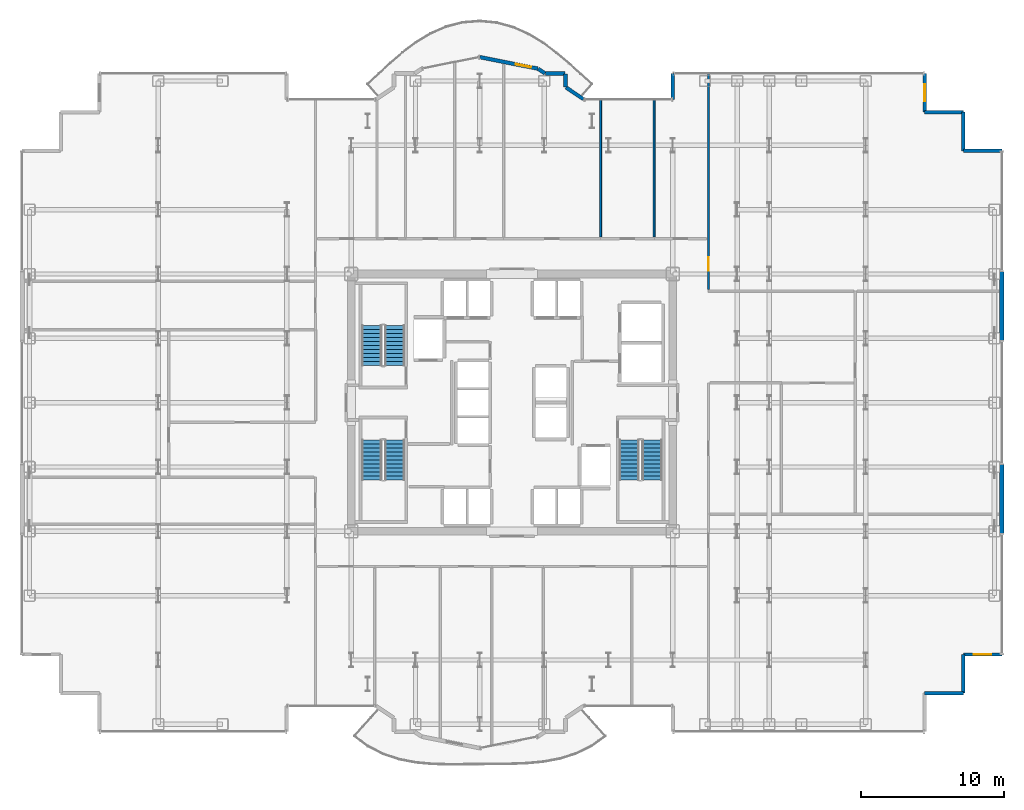
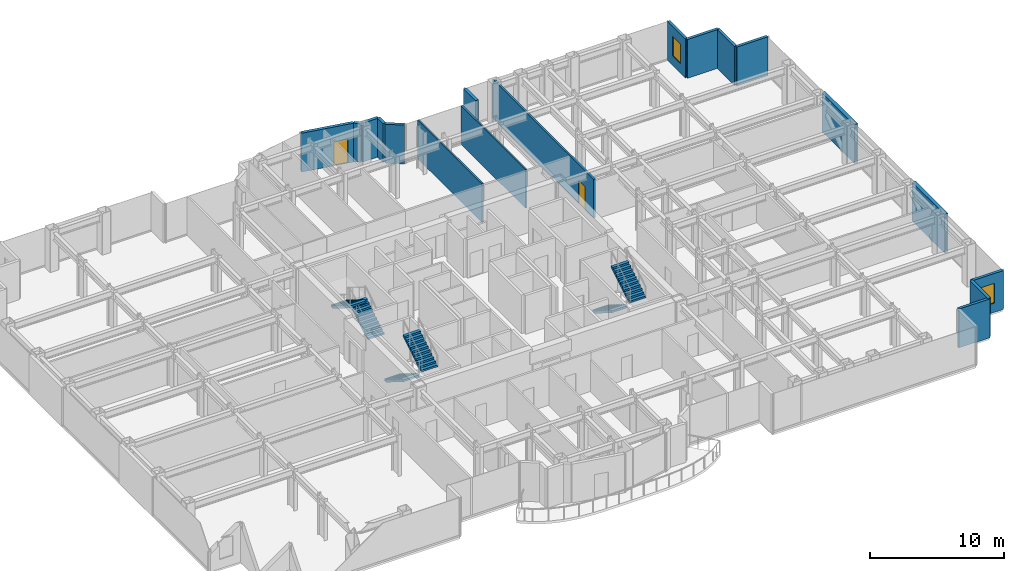
# One storey, part 27 of 29: 18 walls, 6 stair flights, 2 doors, 2 windows, 4 openings, 3 elements without a shape of their own.
"""IFC4 building model written with IfcOpenShell, lengths in metres."""

import ifcopenshell
import ifcopenshell.guid

model = None  # the IFC model being written
_history = None  # IfcOwnerHistory: only IFC2X3 demands one
_inside = {}  # id of a spatial element -> (the spatial element, [elements in it])
_under = {}  # id of a project, library or spatial element -> (it, [spatial elements below it])
_declared = {}  # id of a project -> (the project, [libraries it declares])
_typed = {}  # id of a type object -> (the type object, [elements of that type])
_made_of = {}  # id of a material, layer set ... -> (it, [elements and type objects made of it])


def new_model(schema):
    """Start an empty IFC model of exactly this schema.

    Asked for "IFC4X3", IfcOpenShell would pick the latest addendum, in which some entities
    have other attributes; the version numbers below select the first issue.
    IFC2X3 requires an IfcOwnerHistory on every rooted entity: one is made here for all.
    """
    global model, _history
    if schema == "IFC4X3":
        model = ifcopenshell.file(schema_version=(4, 3, 0, 0))
    else:
        model = ifcopenshell.file(schema=schema)
    _inside.clear()
    _under.clear()
    _declared.clear()
    _typed.clear()
    _made_of.clear()
    _history = None
    if model.schema == "IFC2X3":
        org = make("IfcOrganization", Name="unknown")
        user = make(
            "IfcPersonAndOrganization",
            ThePerson=make("IfcPerson", FamilyName="unknown"),
            TheOrganization=org,
        )
        app = make(
            "IfcApplication",
            ApplicationDeveloper=org,
            Version="unknown",
            ApplicationFullName="unknown",
            ApplicationIdentifier="unknown",
        )
        _history = make(
            "IfcOwnerHistory",
            OwningUser=user,
            OwningApplication=app,
            ChangeAction="ADDED",
            CreationDate=0,
        )
    return model


def make(cls, **values):
    """One entity of the class cls with the attributes given. An attribute that is None is left unset."""
    return model.create_entity(
        cls, **{name: value for name, value in values.items() if value is not None}
    )


def rooted(cls, **values):
    """An entity with a GlobalId (a new one), such as an element, a storey or a relation."""
    return make(cls, GlobalId=ifcopenshell.guid.new(), OwnerHistory=_history, **values)


def si_unit(unit_type, name, prefix=None):
    """IfcSIUnit, for example si_unit("LENGTHUNIT", "METRE", prefix="MILLI")."""
    return make("IfcSIUnit", UnitType=unit_type, Prefix=prefix, Name=name)


def assignment(units):
    """IfcUnitAssignment: the units of a project."""
    return None if units is None else make("IfcUnitAssignment", Units=units)


def point(xyz):
    """IfcCartesianPoint."""
    return None if xyz is None else make("IfcCartesianPoint", Coordinates=xyz)


def direction(xyz):
    """IfcDirection."""
    return None if xyz is None else make("IfcDirection", DirectionRatios=xyz)


def frame(location, z_axis=None, x_axis=None):
    """IfcAxis2Placement3D, a coordinate frame: its origin and axes. An axis left out is left unset."""
    return make(
        "IfcAxis2Placement3D",
        Location=point(location),
        Axis=direction(z_axis),
        RefDirection=direction(x_axis),
    )


def frame_2d(location, x_axis=None):
    """IfcAxis2Placement2D, a coordinate frame in the plane: its origin and x axis."""
    return make(
        "IfcAxis2Placement2D", Location=point(location), RefDirection=direction(x_axis)
    )


def origin():
    """The frame at (0, 0, 0) with its axes left unset."""
    return frame((0.0, 0.0, 0.0))


def place(relative_to, where):
    """IfcLocalPlacement: puts the frame where relative to a parent placement (None: the world)."""
    return make(
        "IfcLocalPlacement", PlacementRelTo=relative_to, RelativePlacement=where
    )


def context(
    kind, dimensions, precision=None, world=None, true_north=None, identifier=None
):
    """IfcGeometricRepresentationContext, for example the 3D "Model" context."""
    return make(
        "IfcGeometricRepresentationContext",
        ContextIdentifier=identifier,
        ContextType=kind,
        CoordinateSpaceDimension=dimensions,
        Precision=precision,
        WorldCoordinateSystem=world,
        TrueNorth=true_north,
    )


def subcontext(parent, identifier, kind, view, scale=None):
    """IfcGeometricRepresentationSubContext, for example "Body" below "Model"."""
    return make(
        "IfcGeometricRepresentationSubContext",
        ContextIdentifier=identifier,
        ContextType=kind,
        ParentContext=parent,
        TargetScale=scale,
        TargetView=view,
    )


def project(units=None, contexts=None):
    """IfcProject with its units and contexts."""
    return rooted(
        "IfcProject",
        Name="project",
        RepresentationContexts=contexts,
        UnitsInContext=assignment(units),
    )


def spatial(cls, under=None, at=None, **own):
    """A site, building, storey or space (cls), placed at a placement, below another one or the project."""
    s = rooted(cls, ObjectPlacement=at, **own)
    if under is not None:
        _under.setdefault(under.id(), (under, []))[1].append(s)
    return s


def polyline(points):
    """IfcPolyline through the points."""
    return make("IfcPolyline", Points=[point(p) for p in points])


def profile(cls, at=None, kind="AREA", **sizes):
    """A parametric profile (cls). Its sizes go by their IFC names, for example OverallWidth=200.0."""
    return make(cls, ProfileType=kind, Position=at, **sizes)


def rectangle(**sizes):
    """IfcRectangleProfileDef."""
    return profile("IfcRectangleProfileDef", **sizes)


def outline(outer, holes=None, kind="AREA"):
    """IfcArbitraryClosedProfileDef: a profile drawn as a closed curve; with holes, ...WithVoids."""
    if holes is None:
        return make("IfcArbitraryClosedProfileDef", ProfileType=kind, OuterCurve=outer)
    return make(
        "IfcArbitraryProfileDefWithVoids",
        ProfileType=kind,
        OuterCurve=outer,
        InnerCurves=holes,
    )


def extrude(swept, where, along, depth):
    """IfcExtrudedAreaSolid: the profile swept, set in the frame where, extruded along a direction by depth."""
    return make(
        "IfcExtrudedAreaSolid",
        SweptArea=swept,
        Position=where,
        ExtrudedDirection=direction(along),
        Depth=depth,
    )


def shape(context_of_items, identifier, shape_type, items):
    """IfcShapeRepresentation: the items that make up one representation, for example the "Body"."""
    return make(
        "IfcShapeRepresentation",
        ContextOfItems=context_of_items,
        RepresentationIdentifier=identifier,
        RepresentationType=shape_type,
        Items=items,
    )


def source(mapping_origin, context_of_items, identifier, shape_type, items):
    """IfcRepresentationMap: a shape defined once, which mapped items show again and again."""
    return make(
        "IfcRepresentationMap",
        MappingOrigin=mapping_origin,
        MappedRepresentation=shape(context_of_items, identifier, shape_type, items),
    )


def transform(
    local_origin,
    x_axis=None,
    y_axis=None,
    z_axis=None,
    scale=None,
    scale2=None,
    scale3=None,
    uniform=True,
):
    """IfcCartesianTransformationOperator3D, or its non-uniform kind. x_axis, y_axis, z_axis: its Axis1, 2, 3."""
    if uniform:
        return make(
            "IfcCartesianTransformationOperator3D",
            Axis1=direction(x_axis),
            Axis2=direction(y_axis),
            LocalOrigin=point(local_origin),
            Scale=scale,
            Axis3=direction(z_axis),
        )
    return make(
        "IfcCartesianTransformationOperator3DnonUniform",
        Axis1=direction(x_axis),
        Axis2=direction(y_axis),
        LocalOrigin=point(local_origin),
        Scale=scale,
        Axis3=direction(z_axis),
        Scale2=scale2,
        Scale3=scale3,
    )


def mapped(mapping_source, mapping_target):
    """IfcMappedItem: shows the shape of a source again, moved by a transform."""
    return make(
        "IfcMappedItem", MappingSource=mapping_source, MappingTarget=mapping_target
    )


def material(Name=None, Category=None):
    """IfcMaterial."""
    return make("IfcMaterial", Name=Name, Category=Category)


def layer(
    of_material, thickness, ventilated=None, Name=None, Category=None, Priority=None
):
    """IfcMaterialLayer: one layer of a wall or slab, of a material (None: an air gap)."""
    return make(
        "IfcMaterialLayer",
        Material=of_material,
        LayerThickness=thickness,
        IsVentilated=ventilated,
        Name=Name,
        Category=Category,
        Priority=Priority,
    )


def layer_set(layers, Name=None):
    """IfcMaterialLayerSet."""
    return make("IfcMaterialLayerSet", MaterialLayers=layers, LayerSetName=Name)


def made_of(thing, what):
    """Note that an element or type object is made of a material, layer set ...; save() writes the relation."""
    if what is not None:
        _made_of.setdefault(what.id(), (what, []))[1].append(thing)
    return thing


def type_object(cls, material=None, **own):
    """A type object (cls), such as IfcWallType, which elements share."""
    return made_of(rooted(cls, **own), material)


def element(
    cls,
    number,
    at=None,
    inside=None,
    cuts=None,
    type_object=None,
    material=None,
    context=None,
    identifier="Body",
    shape_type=None,
    held_by="IfcProductDefinitionShape",
    body=None,
    shapes=None,
    **own,
):
    """One element of the class cls, such as IfcWall. Its Tag is "e" and its number.

    at: its placement. inside: the storey or other place that contains it. cuts: it is an
    opening in that element (IfcRelVoidsElement). A single representation is given by context,
    identifier, shape_type and body (its items); several are given by shapes. held_by: the class
    of the entity that holds the representations. save() writes the other relations.
    """
    e = rooted(cls, Tag="e%d" % number, ObjectPlacement=at, **own)
    if body is not None:
        shapes = [shape(context, identifier, shape_type, body)]
    if shapes is not None:
        e.Representation = make(held_by, Representations=shapes)
    if inside is not None:
        _inside.setdefault(inside.id(), (inside, []))[1].append(e)
    if cuts is not None:
        rooted(
            "IfcRelVoidsElement", RelatingBuildingElement=cuts, RelatedOpeningElement=e
        )
    if type_object is not None:
        _typed.setdefault(type_object.id(), (type_object, []))[1].append(e)
    return made_of(e, material)


def fill(opening, filler):
    """IfcRelFillsElement: the door or window that sits in an opening."""
    return rooted(
        "IfcRelFillsElement",
        RelatingOpeningElement=opening,
        RelatedBuildingElement=filler,
    )


def aggregate(whole, parts):
    """IfcRelAggregates: a whole, such as a stair, and the parts it consists of."""
    return rooted("IfcRelAggregates", RelatingObject=whole, RelatedObjects=parts)


def save(model, path):
    """Write the relations noted so far, then the file.

    IfcRelAggregates (storeys below a building ...), IfcRelContainedInSpatialStructure (elements
    in a storey), IfcRelDefinesByType, IfcRelAssociatesMaterial and IfcRelDeclares: one each for
    every whole, place, type object, material and project.
    """
    for whole, parts in _under.values():
        aggregate(whole, parts)
    for where, things in _inside.values():
        rooted(
            "IfcRelContainedInSpatialStructure",
            RelatedElements=things,
            RelatingStructure=where,
        )
    for kind, things in _typed.values():
        rooted("IfcRelDefinesByType", RelatedObjects=things, RelatingType=kind)
    for what, things in _made_of.values():
        rooted("IfcRelAssociatesMaterial", RelatedObjects=things, RelatingMaterial=what)
    for by, libraries in _declared.values():
        rooted("IfcRelDeclares", RelatingContext=by, RelatedDefinitions=libraries)
    model.write(path)


model = new_model("IFC4")

# Units and contexts
model_context = context("Model", 3, precision=1e-05, world=origin(), true_north=direction((0.0, 1.0)))
body_context = subcontext(model_context, "Body", "Model", "MODEL_VIEW")
ifc_project = project(units=[si_unit("LENGTHUNIT", "METRE"), si_unit("AREAUNIT", "SQUARE_METRE"), si_unit("VOLUMEUNIT", "CUBIC_METRE"), si_unit("PLANEANGLEUNIT", "RADIAN"), si_unit("MASSUNIT", "GRAM", prefix="KILO")], contexts=[model_context])

# Site, building, storey
site_placement = place(None, origin())
site = spatial("IfcSite", under=ifc_project, at=site_placement, CompositionType="ELEMENT")
building_placement = place(site_placement, origin())
building = spatial("IfcBuilding", under=site, at=building_placement, Name="Nefas-Gora Pilgrimage Tower", CompositionType="ELEMENT")
storey_placement = place(building_placement, frame((0.0, 0.0, 113.60009765625)))
storey = spatial("IfcBuildingStorey", under=building, at=storey_placement, Name="L27", CompositionType="ELEMENT", Elevation=113.60009765625)

# Walls
ifc_material_1 = material(Name="Precast concrete C40/50", Category="concrete")
ifc_layer_1 = layer(ifc_material_1, 0.260009765625)
ifc_layer_set_1 = layer_set([ifc_layer_1], Name="Precast concrete C40/50")
wall_type_1 = type_object("IfcWallType", Name="EW-PORTAL-260", PredefinedType="SOLIDWALL", material=ifc_layer_set_1)
shared_shape_1 = source(origin(), body_context, "Body", "SweptSolid", [
    extrude(rectangle(XDim=1.800048828125, YDim=0.260009765625, at=frame_2d((0.89990234375, 0.0))), origin(), (0.0, 0.0, 1.0), 3.5498046875),
])
wall_1_placement = place(storey_placement, frame((11.25, 23.02001953125, 0.0), z_axis=(0.0, 0.0, 1.0), x_axis=(0.0, -1.0, 0.0)))
element("IfcWall", 1, at=wall_1_placement, inside=storey, type_object=wall_type_1, Name="L27 Lobe Shoulder Precast Spandrel Pier 14", PredefinedType="SOLIDWALL", context=body_context, shape_type="MappedRepresentation", body=[
    mapped(shared_shape_1, transform((0.0, 0.0, 0.0), x_axis=(1.0, 0.0, 0.0), y_axis=(0.0, 1.0, 0.0), z_axis=(0.0, 0.0, 1.0), scale=1.0)),
])
ifc_material_2 = material(Name="Precast concrete C45/55", Category="concrete")
ifc_layer_2 = layer(ifc_material_2, 0.239990234375)
ifc_layer_set_2 = layer_set([ifc_layer_2], Name="Precast concrete C45/55")
wall_type_2 = type_object("IfcWallType", Name="EW-SERR-240", PredefinedType="SHEAR", material=ifc_layer_set_2)
shared_shape_2 = source(origin(), body_context, "Body", "SweptSolid", [
    extrude(rectangle(XDim=2.699951171875, YDim=0.239990234375, at=frame_2d((1.35009765625, 0.0))), origin(), (0.0, 0.0, 1.0), 3.5498046875),
])
for number, where, z_axis, x_axis, name in (
    (2, (28.8701171875, -20.320068359375, 0.0), (0.0, 0.0, 1.0), (1.0, 0.0, 0.0), "L27 Serrated Corner Shear Pier Wall 7"),
    (3, (31.570068359375, -20.320068359375, 0.0), (0.0, 0.0, 1.0), (0.0, 1.0, 0.0), "L27 Serrated Corner Shear Pier Wall 8"),
):
    element("IfcWall", number, at=place(storey_placement, frame(where, z_axis=z_axis, x_axis=x_axis)), inside=storey, type_object=wall_type_2, Name=name, PredefinedType="SHEAR", context=body_context, shape_type="MappedRepresentation", body=[
        mapped(shared_shape_2, transform((0.0, 0.0, 0.0), x_axis=(1.0, 0.0, 0.0), y_axis=(0.0, 1.0, 0.0), z_axis=(0.0, 0.0, 1.0), scale=1.0)),
    ])

# Wall, opening, window
wall_2_placement = place(storey_placement, frame((31.570068359375, -17.6201171875, 0.0), z_axis=(0.0, 0.0, 1.0), x_axis=(1.0, 0.0, 0.0)))
wall_2 = element("IfcWall", 4, at=wall_2_placement, inside=storey, type_object=wall_type_2, Name="L27 Serrated Corner Shear Pier Wall 9", PredefinedType="SHEAR", context=body_context, shape_type="MappedRepresentation", body=[
    mapped(shared_shape_2, transform((0.0, 0.0, 0.0), x_axis=(1.0, 0.0, 0.0), y_axis=(0.0, 1.0, 0.0), z_axis=(0.0, 0.0, 1.0), scale=1.0)),
])
opening_1_placement = place(wall_2_placement, frame((0.75, 0.0, 0.85009765625)))
opening_1 = element("IfcOpeningElement", 5, at=opening_1_placement, cuts=wall_2, Name="Opening W-V1", PredefinedType="OPENING", context=body_context, shape_type="SweptSolid", body=[
    extrude(rectangle(XDim=1.199951171875, YDim=1.800048828125, at=frame_2d((0.60009765625, 0.89990234375))), frame((0.0, 0.1298828125, 0.0), z_axis=(0.0, -1.0, 0.0), x_axis=(1.0, 0.0, 0.0)), (0.0, 0.0, 1.0), 0.260009765625),
])
ifc_material_3 = material(Name="Dark ceramic-fritted operable aluminium-glass window", Category="aluminium")
window_type = type_object("IfcWindowType", Name="WIN-VENT-1200x1800", PartitioningType="SINGLE_PANEL", PredefinedType="WINDOW", material=ifc_material_3)
shared_shape_3 = source(origin(), body_context, "Body", "SweptSolid", [
    extrude(rectangle(XDim=1.199951171875, YDim=1.800048828125, at=frame_2d((0.60009765625, 0.89990234375))), frame((0.0, 0.030029296875, 0.0), z_axis=(0.0, -1.0, 0.0), x_axis=(1.0, 0.0, 0.0)), (0.0, 0.0, 1.0), 0.06005859375),
])
window_1_placement = place(opening_1_placement, origin())
window_1 = element("IfcWindow", 6, at=window_1_placement, inside=storey, type_object=window_type, Name="L27 Operable Parallel-Outswing Window 9", OverallHeight=1.800048828125, OverallWidth=1.199951171875, PartitioningType="SINGLE_PANEL", PredefinedType="WINDOW", context=body_context, shape_type="MappedRepresentation", body=[
    mapped(shared_shape_3, transform((0.0, 0.0, 0.0), x_axis=(1.0, 0.0, 0.0), y_axis=(0.0, 1.0, 0.0), z_axis=(0.0, 0.0, 1.0), scale=1.0)),
])
fill(opening_1, window_1)

# Walls
for number, where, z_axis, x_axis, name in (
    (7, (34.27001953125, 17.6201171875, 0.0), (0.0, 0.0, 1.0), (-1.0, 0.0, 0.0), "L27 Serrated Corner Shear Pier Wall 10"),
    (8, (31.570068359375, 17.6201171875, 0.0), (0.0, 0.0, 1.0), (0.0, 1.0, 0.0), "L27 Serrated Corner Shear Pier Wall 11"),
    (9, (31.570068359375, 20.320068359375, 0.0), (0.0, 0.0, 1.0), (-1.0, 0.0, 0.0), "L27 Serrated Corner Shear Pier Wall 12"),
):
    element("IfcWall", number, at=place(storey_placement, frame(where, z_axis=z_axis, x_axis=x_axis)), inside=storey, type_object=wall_type_2, Name=name, PredefinedType="SHEAR", context=body_context, shape_type="MappedRepresentation", body=[
        mapped(shared_shape_2, transform((0.0, 0.0, 0.0), x_axis=(1.0, 0.0, 0.0), y_axis=(0.0, 1.0, 0.0), z_axis=(0.0, 0.0, 1.0), scale=1.0)),
    ])

# Wall, opening, window
wall_3_placement = place(storey_placement, frame((28.8701171875, 20.320068359375, 0.0), z_axis=(0.0, 0.0, 1.0), x_axis=(0.0, 1.0, 0.0)))
wall_3 = element("IfcWall", 10, at=wall_3_placement, inside=storey, type_object=wall_type_2, Name="L27 Serrated Corner Shear Pier Wall 13", PredefinedType="SHEAR", context=body_context, shape_type="MappedRepresentation", body=[
    mapped(shared_shape_2, transform((0.0, 0.0, 0.0), x_axis=(1.0, 0.0, 0.0), y_axis=(0.0, 1.0, 0.0), z_axis=(0.0, 0.0, 1.0), scale=1.0)),
])
opening_2_placement = place(wall_3_placement, frame((0.75, 0.0, 0.85009765625)))
opening_2 = element("IfcOpeningElement", 11, at=opening_2_placement, cuts=wall_3, Name="Opening W-V1", PredefinedType="OPENING", context=body_context, shape_type="SweptSolid", body=[
    extrude(rectangle(XDim=1.199951171875, YDim=1.800048828125, at=frame_2d((0.60009765625, 0.89990234375))), frame((0.0, 0.1298828125, 0.0), z_axis=(0.0, -1.0, 0.0), x_axis=(1.0, 0.0, 0.0)), (0.0, 0.0, 1.0), 0.260009765625),
])
window_2_placement = place(opening_2_placement, origin())
window_2 = element("IfcWindow", 12, at=window_2_placement, inside=storey, type_object=window_type, Name="L27 Operable Parallel-Outswing Window 13", OverallHeight=1.800048828125, OverallWidth=1.199951171875, PartitioningType="SINGLE_PANEL", PredefinedType="WINDOW", context=body_context, shape_type="MappedRepresentation", body=[
    mapped(shared_shape_3, transform((0.0, 0.0, 0.0), x_axis=(1.0, 0.0, 0.0), y_axis=(0.0, 1.0, 0.0), z_axis=(0.0, 0.0, 1.0), scale=1.0)),
])
fill(opening_2, window_2)

# Walls
shared_shape_4 = source(origin(), body_context, "Body", "SweptSolid", [
    extrude(rectangle(XDim=1.468994140625, YDim=0.260009765625, at=frame_2d((0.734375, 0.0))), origin(), (0.0, 0.0, 1.0), 3.5498046875),
])
wall_4_placement = place(storey_placement, frame((4.99462890625, 21.235595703125, 0.0), z_axis=(0.0, 0.0, 1.0), x_axis=(-0.831461760506, 0.555581983884, 0.0)))
element("IfcWall", 13, at=wall_4_placement, inside=storey, type_object=wall_type_1, Name="L27 Lobe Shoulder Precast Spandrel Pier 15", PredefinedType="SOLIDWALL", context=body_context, shape_type="MappedRepresentation", body=[
    mapped(shared_shape_4, transform((0.0, 0.0, 0.0), x_axis=(1.0, 0.0, 0.0), y_axis=(0.0, 1.0, 0.0), z_axis=(0.0, 0.0, 1.0), scale=1.0)),
])
shared_shape_5 = source(origin(), body_context, "Body", "SweptSolid", [
    extrude(rectangle(XDim=0.896728515625, YDim=0.260009765625, at=frame_2d((0.4482421875, 0.0))), origin(), (0.0, 0.0, 1.0), 3.5498046875),
])
wall_5_placement = place(storey_placement, frame((3.75, 22.09521484375, 0.0), z_axis=(0.0, 0.0, 1.0), x_axis=(0.0, 1.0, 0.0)))
element("IfcWall", 14, at=wall_5_placement, inside=storey, type_object=wall_type_1, Name="L27 Lobe Shoulder Precast Spandrel Pier 16", PredefinedType="SOLIDWALL", context=body_context, shape_type="MappedRepresentation", body=[
    mapped(shared_shape_5, transform((0.0, 0.0, 0.0), x_axis=(1.0, 0.0, 0.0), y_axis=(0.0, 1.0, 0.0), z_axis=(0.0, 0.0, 1.0), scale=1.0)),
])
shared_shape_6 = source(origin(), body_context, "Body", "SweptSolid", [
    extrude(rectangle(XDim=1.369873046875, YDim=0.260009765625, at=frame_2d((0.68505859375, 0.0))), origin(), (0.0, 0.0, 1.0), 3.5498046875),
])
wall_6_placement = place(storey_placement, frame((3.721923828125, 23.02001953125, 0.0), z_axis=(0.0, 0.0, 1.0), x_axis=(-1.0, 0.0, 0.0)))
element("IfcWall", 15, at=wall_6_placement, inside=storey, type_object=wall_type_1, Name="L27 Lobe Shoulder Precast Spandrel Pier 17", PredefinedType="SOLIDWALL", context=body_context, shape_type="MappedRepresentation", body=[
    mapped(shared_shape_6, transform((0.0, 0.0, 0.0), x_axis=(1.0, 0.0, 0.0), y_axis=(0.0, 1.0, 0.0), z_axis=(0.0, 0.0, 1.0), scale=1.0)),
])
shared_shape_7 = source(origin(), body_context, "Body", "SweptSolid", [
    extrude(rectangle(XDim=0.5654296875, YDim=0.260009765625, at=frame_2d((0.28271484375, 0.0))), origin(), (0.0, 0.0, 1.0), 3.5498046875),
])
wall_7_placement = place(storey_placement, frame((2.30078125, 23.03564453125, 0.0), z_axis=(0.0, 0.0, 1.0), x_axis=(-0.831651492666, 0.555297933317, 0.0)))
element("IfcWall", 16, at=wall_7_placement, inside=storey, type_object=wall_type_1, Name="L27 Lobe Shoulder Precast Spandrel Pier 18", PredefinedType="SOLIDWALL", context=body_context, shape_type="MappedRepresentation", body=[
    mapped(shared_shape_7, transform((0.0, 0.0, 0.0), x_axis=(1.0, 0.0, 0.0), y_axis=(0.0, 1.0, 0.0), z_axis=(0.0, 0.0, 1.0), scale=1.0)),
])
shared_shape_8 = source(origin(), body_context, "Body", "SweptSolid", [
    extrude(rectangle(XDim=4.8798828125, YDim=0.300048828125, at=frame_2d((2.43994140625, 0.0))), origin(), (0.0, 0.0, 1.0), 3.5498046875),
])
for number, where, z_axis, x_axis, name in (
    (17, (34.27001953125, -9.18994140625, 0.0), (0.0, 0.0, 1.0), (0.0, 1.0, 0.0), "L27 Braced-Tube Precast Shear Cladding 3"),
    (18, (34.27001953125, 4.31005859375, 0.0), (0.0, 0.0, 1.0), (0.0, 1.0, 0.0), "L27 Braced-Tube Precast Shear Cladding 4"),
):
    element("IfcWall", number, at=place(storey_placement, frame(where, z_axis=z_axis, x_axis=x_axis)), inside=storey, type_object=wall_type_2, Name=name, PredefinedType="SHEAR", context=body_context, shape_type="MappedRepresentation", body=[
        mapped(shared_shape_8, transform((0.0, 0.0, 0.0), x_axis=(1.0, 0.0, 0.0), y_axis=(0.0, 1.0, 0.0), z_axis=(0.0, 0.0, 1.0), scale=1.0)),
    ])

# Wall, opening, door
shared_shape_9 = source(origin(), body_context, "Body", "SweptSolid", [
    extrude(rectangle(XDim=4.136962890625, YDim=0.260009765625, at=frame_2d((2.068359375, 0.0))), origin(), (0.0, 0.0, 1.0), 3.5498046875),
])
wall_8_placement = place(storey_placement, frame((1.807373046875, 23.365234375, 0.0), z_axis=(0.0, 0.0, 1.0), x_axis=(-0.980782170794, 0.195105954428, 0.0)))
wall_8 = element("IfcWall", 19, at=wall_8_placement, inside=storey, type_object=wall_type_1, Name="L27 Insulated Terrace Portal Wall 19", PredefinedType="SOLIDWALL", context=body_context, shape_type="MappedRepresentation", body=[
    mapped(shared_shape_9, transform((0.0, 0.0, 0.0), x_axis=(1.0, 0.0, 0.0), y_axis=(0.0, 1.0, 0.0), z_axis=(0.0, 0.0, 1.0), scale=1.0)),
])
opening_3_placement = place(wall_8_placement, frame((0.48779296875, 0.0, 0.0)))
opening_3 = element("IfcOpeningElement", 20, at=opening_3_placement, cuts=wall_8, Name="Opening ED-B1", PredefinedType="OPENING", context=body_context, shape_type="SweptSolid", body=[
    extrude(rectangle(XDim=1.10009765625, YDim=2.199951171875, at=frame_2d((0.550048828125, 1.10009765625))), frame((0.0, 0.139892578125, 0.0), z_axis=(0.0, -1.0, 0.0), x_axis=(1.0, 0.0, 0.0)), (0.0, 0.0, 1.0), 0.280029296875),
])
ifc_material_4 = material(Name="Thermally broken glazed aluminium balcony door", Category="aluminium")
door_type_1 = type_object("IfcDoorType", Name="DR-EXT-BAL-1100", OperationType="NOTDEFINED", PredefinedType="DOOR", material=ifc_material_4)
shared_shape_10 = source(origin(), body_context, "Body", "SweptSolid", [
    extrude(rectangle(XDim=1.10009765625, YDim=2.199951171875, at=frame_2d((0.550048828125, 1.10009765625))), frame((0.0, 0.02490234375, 0.0), z_axis=(0.0, -1.0, 0.0), x_axis=(1.0, 0.0, 0.0)), (0.0, 0.0, 1.0), 0.050048828125),
])
door_1_placement = place(opening_3_placement, origin())
door_1 = element("IfcDoor", 21, at=door_1_placement, inside=storey, type_object=door_type_1, Name="L27 Exterior Door (L27 N Lobe Wave Balcony)", OperationType="SINGLE_SWING_RIGHT", OverallHeight=2.199951171875, OverallWidth=1.10009765625, PredefinedType="DOOR", context=body_context, shape_type="MappedRepresentation", body=[
    mapped(shared_shape_10, transform((0.0, 0.0, 0.0), x_axis=(1.0, 0.0, 0.0), y_axis=(0.0, 1.0, 0.0), z_axis=(0.0, 0.0, 1.0), scale=1.0)),
])
fill(opening_3, door_1)

# Walls
ifc_material_5 = material(Name="Gypsum twin-stud partition")
ifc_layer_3 = layer(ifc_material_5, 0.139892578125)
ifc_layer_set_3 = layer_set([ifc_layer_3], Name="Gypsum twin-stud partition")
wall_type_3 = type_object("IfcWallType", Name="IW-UNIT-140", PredefinedType="PARTITIONING", material=ifc_layer_set_3)
shared_shape_11 = source(origin(), body_context, "Body", "SweptSolid", [
    extrude(rectangle(XDim=9.64990234375, YDim=0.139892578125, at=frame_2d((4.824951171875, 0.0))), origin(), (0.0, 0.0, 1.0), 3.534912109375),
])
for number, where, z_axis, x_axis, name in (
    (22, (6.195068359375, 11.590087890625, 0.0), (0.0, 0.0, 1.0), (0.0, 1.0, 0.0), "L27 Pilgrim Contemplative Lounge Partition Wall 47"),
    (23, (9.949951171875, 11.590087890625, 0.0), (0.0, 0.0, 1.0), (0.0, 1.0, 0.0), "L27 Pilgrim Contemplative Lounge Partition Wall 52"),
):
    element("IfcWall", number, at=place(storey_placement, frame(where, z_axis=z_axis, x_axis=x_axis)), inside=storey, type_object=wall_type_3, Name=name, PredefinedType="PARTITIONING", context=body_context, shape_type="MappedRepresentation", body=[
        mapped(shared_shape_11, transform((0.0, 0.0, 0.0), x_axis=(1.0, 0.0, 0.0), y_axis=(0.0, 1.0, 0.0), z_axis=(0.0, 0.0, 1.0), scale=1.0)),
    ])

# Wall, opening, door
ifc_material_6 = material(Name="Gypsum acoustic stud partition")
ifc_layer_4 = layer(ifc_material_6, 0.159912109375)
ifc_layer_set_4 = layer_set([ifc_layer_4], Name="Gypsum acoustic stud partition")
wall_type_4 = type_object("IfcWallType", Name="IW-CORR-160", PredefinedType="PARTITIONING", material=ifc_layer_set_4)
shared_shape_12 = source(origin(), body_context, "Body", "SweptSolid", [
    extrude(rectangle(XDim=15.135009765625, YDim=0.159912109375, at=frame_2d((7.5673828125, 0.0))), origin(), (0.0, 0.0, 1.0), 3.534912109375),
])
wall_9_placement = place(storey_placement, frame((13.739990234375, 7.905029296875, 0.0), z_axis=(0.0, 0.0, 1.0), x_axis=(0.0, 1.0, 0.0)))
wall_9 = element("IfcWall", 24, at=wall_9_placement, inside=storey, type_object=wall_type_4, Name="L27 Pilgrim Contemplative Lounge Partition Wall 43", PredefinedType="PARTITIONING", context=body_context, shape_type="MappedRepresentation", body=[
    mapped(shared_shape_12, transform((0.0, 0.0, 0.0), x_axis=(1.0, 0.0, 0.0), y_axis=(0.0, 1.0, 0.0), z_axis=(0.0, 0.0, 1.0), scale=1.0)),
])
opening_4_placement = place(wall_9_placement, frame((1.327392578125, 0.0, 0.0)))
opening_4 = element("IfcOpeningElement", 25, at=opening_4_placement, cuts=wall_9, Name="Opening ID-GR1", PredefinedType="OPENING", context=body_context, shape_type="SweptSolid", body=[
    extrude(rectangle(XDim=0.949951171875, YDim=2.10009765625, at=frame_2d((0.47509765625, 1.050048828125))), frame((0.0, 0.08984375, 0.0), z_axis=(0.0, -1.0, 0.0), x_axis=(1.0, 0.0, 0.0)), (0.0, 0.0, 1.0), 0.179931640625),
])
ifc_material_7 = material(Name="Solid core oak fire-rated guest entrance door")
door_type_2 = type_object("IfcDoorType", Name="DR-INT-GUEST-950", OperationType="NOTDEFINED", PredefinedType="DOOR", material=ifc_material_7)
shared_shape_13 = source(origin(), body_context, "Body", "SweptSolid", [
    extrude(rectangle(XDim=0.949951171875, YDim=2.10009765625, at=frame_2d((0.47509765625, 1.050048828125))), frame((0.0, 0.02490234375, 0.0), z_axis=(0.0, -1.0, 0.0), x_axis=(1.0, 0.0, 0.0)), (0.0, 0.0, 1.0), 0.050048828125),
])
door_2_placement = place(opening_4_placement, origin())
door_2 = element("IfcDoor", 26, at=door_2_placement, inside=storey, type_object=door_type_2, Name="L27 Pilgrim Contemplative Lounge Door 19", OperationType="SINGLE_SWING_LEFT", OverallHeight=2.10009765625, OverallWidth=0.949951171875, PredefinedType="DOOR", context=body_context, shape_type="MappedRepresentation", body=[
    mapped(shared_shape_13, transform((0.0, 0.0, 0.0), x_axis=(1.0, 0.0, 0.0), y_axis=(0.0, 1.0, 0.0), z_axis=(0.0, 0.0, 1.0), scale=1.0)),
])
fill(opening_4, door_2)

# Stair, stair flights
ifc_material_8 = material(Name="Concrete C45/55", Category="concrete")
stair_type = type_object("IfcStairType", Name="STR-1400-R1727", PredefinedType="HALF_TURN_STAIR", material=ifc_material_8)
stair_1_placement = place(storey_placement, origin())
stair_1 = element("IfcStair", 27, at=stair_1_placement, inside=storey, type_object=stair_type, Name="L27 Pressurised Tower Exit Stair ST-01", PredefinedType="HALF_TURN_STAIR")
stair_flight_type = type_object("IfcStairFlightType", Name="STF-1400-R1727", PredefinedType="STRAIGHT", material=ifc_material_8)
shared_shape_14 = source(origin(), body_context, "Body", "SweptSolid", [
    extrude(outline(polyline([(0.0, 0.0), (0.0, 0.172607421875), (0.280029296875, 0.172607421875), (0.280029296875, 0.345458984375), (0.56005859375, 0.345458984375), (0.56005859375, 0.51806640625), (0.840087890625, 0.51806640625), (0.840087890625, 0.69091796875), (1.1201171875, 0.69091796875), (1.1201171875, 0.863525390625), (1.39990234375, 0.863525390625), (1.39990234375, 1.036376953125), (1.679931640625, 1.036376953125), (1.679931640625, 1.208984375), (1.9599609375, 1.208984375), (1.9599609375, 1.3818359375), (2.239990234375, 1.3818359375), (2.239990234375, 1.554443359375), (2.52001953125, 1.554443359375), (2.52001953125, 1.727294921875), (2.800048828125, 1.727294921875), (2.800048828125, 1.89990234375), (2.800048828125, 1.551025390625), (0.285400390625, 0.0), (0.0, 0.0)])), frame((0.0, 0.699951171875, 0.0), z_axis=(0.0, -1.0, 0.0), x_axis=(1.0, 0.0, 0.0)), (0.0, 0.0, 1.0), 1.39990234375),
])
stair_flight_1_placement = place(storey_placement, frame((-8.199951171875, 2.60009765625, 0.0), z_axis=(0.0, 0.0, 1.0), x_axis=(0.0, 1.0, 0.0)))
stair_flight_1 = element("IfcStairFlight", 28, at=stair_flight_1_placement, type_object=stair_flight_type, Name="ST-01 flight 1", NumberOfRisers=11, NumberOfTreads=10, PredefinedType="STRAIGHT", RiserHeight=0.172727273, TreadLength=0.28, context=body_context, shape_type="MappedRepresentation", body=[
    mapped(shared_shape_14, transform((0.0, 0.0, 0.0), x_axis=(1.0, 0.0, 0.0), y_axis=(0.0, 1.0, 0.0), z_axis=(0.0, 0.0, 1.0), scale=1.0)),
])
stair_flight_2_placement = place(storey_placement, frame((-9.800048828125, 5.39990234375, 1.89990234375), z_axis=(0.0, 0.0, 1.0), x_axis=(0.0, -1.0, 0.0)))
stair_flight_2 = element("IfcStairFlight", 29, at=stair_flight_2_placement, type_object=stair_flight_type, Name="ST-01 flight 2", NumberOfRisers=11, NumberOfTreads=10, PredefinedType="STRAIGHT", RiserHeight=0.172727273, TreadLength=0.28, context=body_context, shape_type="MappedRepresentation", body=[
    mapped(shared_shape_14, transform((0.0, 0.0, 0.0), x_axis=(1.0, 0.0, 0.0), y_axis=(0.0, 1.0, 0.0), z_axis=(0.0, 0.0, 1.0), scale=1.0)),
])
aggregate(stair_1, [stair_flight_1, stair_flight_2])

stair_2_placement = place(storey_placement, origin())
stair_2 = element("IfcStair", 30, at=stair_2_placement, inside=storey, type_object=stair_type, Name="L27 Pressurised Tower Exit Stair ST-02", PredefinedType="HALF_TURN_STAIR")
stair_flight_3_placement = place(storey_placement, frame((8.199951171875, -2.60009765625, 0.0), z_axis=(0.0, 0.0, 1.0), x_axis=(0.0, -1.0, 0.0)))
stair_flight_3 = element("IfcStairFlight", 31, at=stair_flight_3_placement, type_object=stair_flight_type, Name="ST-02 flight 1", NumberOfRisers=11, NumberOfTreads=10, PredefinedType="STRAIGHT", RiserHeight=0.172727273, TreadLength=0.28, context=body_context, shape_type="MappedRepresentation", body=[
    mapped(shared_shape_14, transform((0.0, 0.0, 0.0), x_axis=(1.0, 0.0, 0.0), y_axis=(0.0, 1.0, 0.0), z_axis=(0.0, 0.0, 1.0), scale=1.0)),
])
stair_flight_4_placement = place(storey_placement, frame((9.800048828125, -5.39990234375, 1.89990234375), z_axis=(0.0, 0.0, 1.0), x_axis=(0.0, 1.0, 0.0)))
stair_flight_4 = element("IfcStairFlight", 32, at=stair_flight_4_placement, type_object=stair_flight_type, Name="ST-02 flight 2", NumberOfRisers=11, NumberOfTreads=10, PredefinedType="STRAIGHT", RiserHeight=0.172727273, TreadLength=0.28, context=body_context, shape_type="MappedRepresentation", body=[
    mapped(shared_shape_14, transform((0.0, 0.0, 0.0), x_axis=(1.0, 0.0, 0.0), y_axis=(0.0, 1.0, 0.0), z_axis=(0.0, 0.0, 1.0), scale=1.0)),
])
aggregate(stair_2, [stair_flight_3, stair_flight_4])

stair_3_placement = place(storey_placement, origin())
stair_3 = element("IfcStair", 33, at=stair_3_placement, inside=storey, type_object=stair_type, Name="L27 Pressurised Tower Exit Stair ST-03", PredefinedType="HALF_TURN_STAIR")
stair_flight_5_placement = place(storey_placement, frame((-9.800048828125, -2.60009765625, 0.0), z_axis=(0.0, 0.0, 1.0), x_axis=(0.0, -1.0, 0.0)))
stair_flight_5 = element("IfcStairFlight", 34, at=stair_flight_5_placement, type_object=stair_flight_type, Name="ST-03 flight 1", NumberOfRisers=11, NumberOfTreads=10, PredefinedType="STRAIGHT", RiserHeight=0.172727273, TreadLength=0.28, context=body_context, shape_type="MappedRepresentation", body=[
    mapped(shared_shape_14, transform((0.0, 0.0, 0.0), x_axis=(1.0, 0.0, 0.0), y_axis=(0.0, 1.0, 0.0), z_axis=(0.0, 0.0, 1.0), scale=1.0)),
])
stair_flight_6_placement = place(storey_placement, frame((-8.199951171875, -5.39990234375, 1.89990234375), z_axis=(0.0, 0.0, 1.0), x_axis=(0.0, 1.0, 0.0)))
stair_flight_6 = element("IfcStairFlight", 35, at=stair_flight_6_placement, type_object=stair_flight_type, Name="ST-03 flight 2", NumberOfRisers=11, NumberOfTreads=10, PredefinedType="STRAIGHT", RiserHeight=0.172727273, TreadLength=0.28, context=body_context, shape_type="MappedRepresentation", body=[
    mapped(shared_shape_14, transform((0.0, 0.0, 0.0), x_axis=(1.0, 0.0, 0.0), y_axis=(0.0, 1.0, 0.0), z_axis=(0.0, 0.0, 1.0), scale=1.0)),
])
aggregate(stair_3, [stair_flight_5, stair_flight_6])

save(model, "model.ifc")
